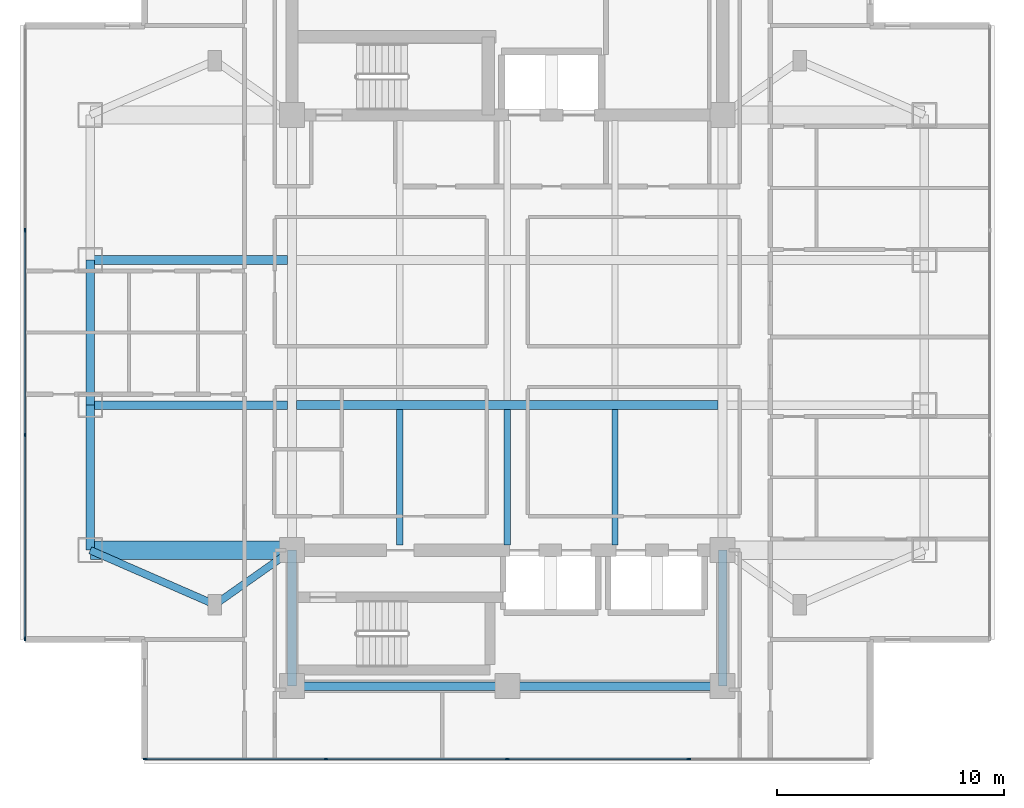
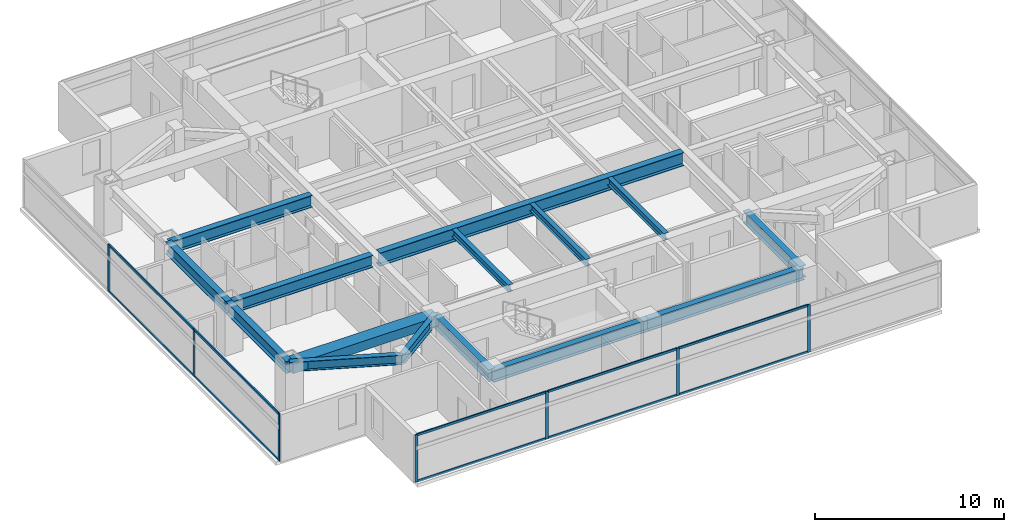
# One storey, part 2 of 24: 17 members, 15 beams, 2 elements without a shape of their own.
"""IFC4 building model written with IfcOpenShell, lengths in metres."""

import ifcopenshell
import ifcopenshell.guid

model = None  # the IFC model being written
_history = None  # IfcOwnerHistory: only IFC2X3 demands one
_inside = {}  # id of a spatial element -> (the spatial element, [elements in it])
_under = {}  # id of a project, library or spatial element -> (it, [spatial elements below it])
_declared = {}  # id of a project -> (the project, [libraries it declares])
_typed = {}  # id of a type object -> (the type object, [elements of that type])
_made_of = {}  # id of a material, layer set ... -> (it, [elements and type objects made of it])


def new_model(schema):
    """Start an empty IFC model of exactly this schema.

    Asked for "IFC4X3", IfcOpenShell would pick the latest addendum, in which some entities
    have other attributes; the version numbers below select the first issue.
    IFC2X3 requires an IfcOwnerHistory on every rooted entity: one is made here for all.
    """
    global model, _history
    if schema == "IFC4X3":
        model = ifcopenshell.file(schema_version=(4, 3, 0, 0))
    else:
        model = ifcopenshell.file(schema=schema)
    _inside.clear()
    _under.clear()
    _declared.clear()
    _typed.clear()
    _made_of.clear()
    _history = None
    if model.schema == "IFC2X3":
        org = make("IfcOrganization", Name="unknown")
        user = make(
            "IfcPersonAndOrganization",
            ThePerson=make("IfcPerson", FamilyName="unknown"),
            TheOrganization=org,
        )
        app = make(
            "IfcApplication",
            ApplicationDeveloper=org,
            Version="unknown",
            ApplicationFullName="unknown",
            ApplicationIdentifier="unknown",
        )
        _history = make(
            "IfcOwnerHistory",
            OwningUser=user,
            OwningApplication=app,
            ChangeAction="ADDED",
            CreationDate=0,
        )
    return model


def make(cls, **values):
    """One entity of the class cls with the attributes given. An attribute that is None is left unset."""
    return model.create_entity(
        cls, **{name: value for name, value in values.items() if value is not None}
    )


def rooted(cls, **values):
    """An entity with a GlobalId (a new one), such as an element, a storey or a relation."""
    return make(cls, GlobalId=ifcopenshell.guid.new(), OwnerHistory=_history, **values)


def si_unit(unit_type, name, prefix=None):
    """IfcSIUnit, for example si_unit("LENGTHUNIT", "METRE", prefix="MILLI")."""
    return make("IfcSIUnit", UnitType=unit_type, Prefix=prefix, Name=name)


def assignment(units):
    """IfcUnitAssignment: the units of a project."""
    return None if units is None else make("IfcUnitAssignment", Units=units)


def point(xyz):
    """IfcCartesianPoint."""
    return None if xyz is None else make("IfcCartesianPoint", Coordinates=xyz)


def direction(xyz):
    """IfcDirection."""
    return None if xyz is None else make("IfcDirection", DirectionRatios=xyz)


def frame(location, z_axis=None, x_axis=None):
    """IfcAxis2Placement3D, a coordinate frame: its origin and axes. An axis left out is left unset."""
    return make(
        "IfcAxis2Placement3D",
        Location=point(location),
        Axis=direction(z_axis),
        RefDirection=direction(x_axis),
    )


def frame_2d(location, x_axis=None):
    """IfcAxis2Placement2D, a coordinate frame in the plane: its origin and x axis."""
    return make(
        "IfcAxis2Placement2D", Location=point(location), RefDirection=direction(x_axis)
    )


def origin():
    """The frame at (0, 0, 0) with its axes left unset."""
    return frame((0.0, 0.0, 0.0))


def origin_2d():
    """The frame at (0, 0) in the plane with its x axis left unset."""
    return frame_2d((0.0, 0.0))


def place(relative_to, where):
    """IfcLocalPlacement: puts the frame where relative to a parent placement (None: the world)."""
    return make(
        "IfcLocalPlacement", PlacementRelTo=relative_to, RelativePlacement=where
    )


def context(
    kind, dimensions, precision=None, world=None, true_north=None, identifier=None
):
    """IfcGeometricRepresentationContext, for example the 3D "Model" context."""
    return make(
        "IfcGeometricRepresentationContext",
        ContextIdentifier=identifier,
        ContextType=kind,
        CoordinateSpaceDimension=dimensions,
        Precision=precision,
        WorldCoordinateSystem=world,
        TrueNorth=true_north,
    )


def subcontext(parent, identifier, kind, view, scale=None):
    """IfcGeometricRepresentationSubContext, for example "Body" below "Model"."""
    return make(
        "IfcGeometricRepresentationSubContext",
        ContextIdentifier=identifier,
        ContextType=kind,
        ParentContext=parent,
        TargetScale=scale,
        TargetView=view,
    )


def project(units=None, contexts=None):
    """IfcProject with its units and contexts."""
    return rooted(
        "IfcProject",
        Name="project",
        RepresentationContexts=contexts,
        UnitsInContext=assignment(units),
    )


def spatial(cls, under=None, at=None, **own):
    """A site, building, storey or space (cls), placed at a placement, below another one or the project."""
    s = rooted(cls, ObjectPlacement=at, **own)
    if under is not None:
        _under.setdefault(under.id(), (under, []))[1].append(s)
    return s


def profile(cls, at=None, kind="AREA", **sizes):
    """A parametric profile (cls). Its sizes go by their IFC names, for example OverallWidth=200.0."""
    return make(cls, ProfileType=kind, Position=at, **sizes)


def rectangle(**sizes):
    """IfcRectangleProfileDef."""
    return profile("IfcRectangleProfileDef", **sizes)


def i_section(**sizes):
    """IfcIShapeProfileDef."""
    return profile("IfcIShapeProfileDef", **sizes)


def extrude(swept, where, along, depth):
    """IfcExtrudedAreaSolid: the profile swept, set in the frame where, extruded along a direction by depth."""
    return make(
        "IfcExtrudedAreaSolid",
        SweptArea=swept,
        Position=where,
        ExtrudedDirection=direction(along),
        Depth=depth,
    )


def shape(context_of_items, identifier, shape_type, items):
    """IfcShapeRepresentation: the items that make up one representation, for example the "Body"."""
    return make(
        "IfcShapeRepresentation",
        ContextOfItems=context_of_items,
        RepresentationIdentifier=identifier,
        RepresentationType=shape_type,
        Items=items,
    )


def material(Name=None, Category=None):
    """IfcMaterial."""
    return make("IfcMaterial", Name=Name, Category=Category)


def material_profile(
    of_material, cross_section, Name=None, Category=None, Priority=None
):
    """IfcMaterialProfile: a cross section and its material."""
    return make(
        "IfcMaterialProfile",
        Name=Name,
        Material=of_material,
        Profile=cross_section,
        Priority=Priority,
        Category=Category,
    )


def profile_set(profiles, Name=None, composite=None):
    """IfcMaterialProfileSet."""
    return make(
        "IfcMaterialProfileSet",
        Name=Name,
        MaterialProfiles=profiles,
        CompositeProfile=composite,
    )


def made_of(thing, what):
    """Note that an element or type object is made of a material, layer set ...; save() writes the relation."""
    if what is not None:
        _made_of.setdefault(what.id(), (what, []))[1].append(thing)
    return thing


def type_object(cls, material=None, **own):
    """A type object (cls), such as IfcWallType, which elements share."""
    return made_of(rooted(cls, **own), material)


def element(
    cls,
    number,
    at=None,
    inside=None,
    cuts=None,
    type_object=None,
    material=None,
    context=None,
    identifier="Body",
    shape_type=None,
    held_by="IfcProductDefinitionShape",
    body=None,
    shapes=None,
    **own,
):
    """One element of the class cls, such as IfcWall. Its Tag is "e" and its number.

    at: its placement. inside: the storey or other place that contains it. cuts: it is an
    opening in that element (IfcRelVoidsElement). A single representation is given by context,
    identifier, shape_type and body (its items); several are given by shapes. held_by: the class
    of the entity that holds the representations. save() writes the other relations.
    """
    e = rooted(cls, Tag="e%d" % number, ObjectPlacement=at, **own)
    if body is not None:
        shapes = [shape(context, identifier, shape_type, body)]
    if shapes is not None:
        e.Representation = make(held_by, Representations=shapes)
    if inside is not None:
        _inside.setdefault(inside.id(), (inside, []))[1].append(e)
    if cuts is not None:
        rooted(
            "IfcRelVoidsElement", RelatingBuildingElement=cuts, RelatedOpeningElement=e
        )
    if type_object is not None:
        _typed.setdefault(type_object.id(), (type_object, []))[1].append(e)
    return made_of(e, material)


def aggregate(whole, parts):
    """IfcRelAggregates: a whole, such as a stair, and the parts it consists of."""
    return rooted("IfcRelAggregates", RelatingObject=whole, RelatedObjects=parts)


def save(model, path):
    """Write the relations noted so far, then the file.

    IfcRelAggregates (storeys below a building ...), IfcRelContainedInSpatialStructure (elements
    in a storey), IfcRelDefinesByType, IfcRelAssociatesMaterial and IfcRelDeclares: one each for
    every whole, place, type object, material and project.
    """
    for whole, parts in _under.values():
        aggregate(whole, parts)
    for where, things in _inside.values():
        rooted(
            "IfcRelContainedInSpatialStructure",
            RelatedElements=things,
            RelatingStructure=where,
        )
    for kind, things in _typed.values():
        rooted("IfcRelDefinesByType", RelatedObjects=things, RelatingType=kind)
    for what, things in _made_of.values():
        rooted("IfcRelAssociatesMaterial", RelatedObjects=things, RelatingMaterial=what)
    for by, libraries in _declared.values():
        rooted("IfcRelDeclares", RelatingContext=by, RelatedDefinitions=libraries)
    model.write(path)


model = new_model("IFC4")

# Units and contexts
model_context = context("Model", 3, precision=1e-05, world=origin(), true_north=direction((0.0, 1.0)))
body_context = subcontext(model_context, "Body", "Model", "MODEL_VIEW")
ifc_project = project(units=[si_unit("LENGTHUNIT", "METRE"), si_unit("AREAUNIT", "SQUARE_METRE"), si_unit("VOLUMEUNIT", "CUBIC_METRE"), si_unit("PLANEANGLEUNIT", "RADIAN"), si_unit("MASSUNIT", "GRAM", prefix="KILO")], contexts=[model_context])

# Site, building, storey
site_placement = place(None, origin())
site = spatial("IfcSite", under=ifc_project, at=site_placement, CompositionType="ELEMENT")
building_placement = place(site_placement, origin())
building = spatial("IfcBuilding", under=site, at=building_placement, Name="Mirazonda Arch Towers", CompositionType="ELEMENT")
storey_placement = place(building_placement, frame((0.0, 0.0, 134.60009765625)))
storey = spatial("IfcBuildingStorey", under=building, at=storey_placement, Name="L38", CompositionType="ELEMENT", Elevation=134.60009765625)

# Beams
ifc_material_1 = material(Name="Steel ASTM A992 Grade 50", Category="steel")
ifc_material_profile_1 = material_profile(ifc_material_1, i_section(OverallWidth=0.381103515625, OverallDepth=0.77294921875, WebThickness=0.0166015625, FlangeThickness=0.027099609375, at=origin_2d()), Name="W30X173")
ifc_profile_set_1 = profile_set([ifc_material_profile_1], Name="Steel ASTM A992 Grade 50")
beam_type_1 = type_object("IfcBeamType", Name="BM-EXT-W30X173", PredefinedType="USERDEFINED", material=ifc_profile_set_1)
beam_1_placement = place(storey_placement, frame((2.10009765625, 18.39990234375, 2.693359375), z_axis=(0.0, 1.0, 0.0), x_axis=(-1.0, 0.0, 0.0)))
element("IfcBeam", 1, at=beam_1_placement, inside=storey, type_object=beam_type_1, Name="L38 Floor Beam BM-T1-L38-NS-W-18", ObjectType="GIRDER", PredefinedType="USERDEFINED", context=body_context, shape_type="SweptSolid", body=[
    extrude(i_section(OverallWidth=0.381103515625, OverallDepth=0.77294921875, WebThickness=0.0166015625, FlangeThickness=0.027099609375, at=origin_2d()), origin(), (0.0, 0.0, 1.0), 6.400146484375),
])
beam_2_placement = place(storey_placement, frame((2.10009765625, 24.800048828125, 2.693359375), z_axis=(0.0, 1.0, 0.0), x_axis=(-1.0, 0.0, 0.0)))
element("IfcBeam", 2, at=beam_2_placement, inside=storey, type_object=beam_type_1, Name="L38 Floor Beam BM-T1-L38-NS-W-24", ObjectType="GIRDER", PredefinedType="USERDEFINED", context=body_context, shape_type="SweptSolid", body=[
    extrude(i_section(OverallWidth=0.381103515625, OverallDepth=0.77294921875, WebThickness=0.0166015625, FlangeThickness=0.027099609375, at=origin_2d()), origin(), (0.0, 0.0, 1.0), 6.39990234375),
])
ifc_material_profile_2 = material_profile(ifc_material_1, i_section(OverallWidth=0.280029296875, OverallDepth=0.462890625, WebThickness=0.0107421875, FlangeThickness=0.017333984375, at=origin_2d()), Name="W18X76")
ifc_profile_set_2 = profile_set([ifc_material_profile_2], Name="Steel ASTM A992 Grade 50")
beam_type_2 = type_object("IfcBeamType", Name="BM-INT-W18X76", PredefinedType="JOIST", material=ifc_profile_set_2)
for number, where, z_axis, x_axis, name in (
    (3, (15.75, 18.639892578125, 2.848388671875), (0.0, 1.0, 0.0), (-1.0, 0.0, 0.0), "L38 Floor Beam BM-T1-L38-J-157-18"),
    (4, (20.5, 18.639892578125, 2.848388671875), (0.0, 1.0, 0.0), (-1.0, 0.0, 0.0), "L38 Floor Beam BM-T1-L38-J-205-18"),
    (5, (25.25, 18.639892578125, 2.848388671875), (0.0, 1.0, 0.0), (-1.0, 0.0, 0.0), "L38 Floor Beam BM-T1-L38-J-252-18"),
):
    element("IfcBeam", number, at=place(storey_placement, frame(where, z_axis=z_axis, x_axis=x_axis)), inside=storey, type_object=beam_type_2, Name=name, PredefinedType="JOIST", context=body_context, shape_type="SweptSolid", body=[
        extrude(i_section(OverallWidth=0.280029296875, OverallDepth=0.462890625, WebThickness=0.0107421875, FlangeThickness=0.017333984375, at=origin_2d()), origin(), (0.0, 0.0, 1.0), 5.964111328125),
    ])
ifc_material_profile_3 = material_profile(ifc_material_1, i_section(OverallWidth=0.324951171875, OverallDepth=0.615966796875, WebThickness=0.013916015625, FlangeThickness=0.021484375, at=origin_2d()), Name="W24X117")
ifc_profile_set_3 = profile_set([ifc_material_profile_3], Name="Steel ASTM A992 Grade 50")
beam_type_3 = type_object("IfcBeamType", Name="BM-INT-W24X117", PredefinedType="BEAM", material=ifc_profile_set_3)
beam_3_placement = place(storey_placement, frame((7.60009765625, 16.0, 2.77197265625), z_axis=(0.816971114901, 0.576678591087, 0.0), x_axis=(-0.576678591087, 0.816971114901, 0.0)))
element("IfcBeam", 6, at=beam_3_placement, inside=storey, type_object=beam_type_3, Name="L38 Floor Beam BM-T1-L38-PL-SW1", PredefinedType="BEAM", context=body_context, shape_type="SweptSolid", body=[
    extrude(i_section(OverallWidth=0.324951171875, OverallDepth=0.615966796875, WebThickness=0.013916015625, FlangeThickness=0.021484375, at=origin_2d()), origin(), (0.0, 0.0, 1.0), 4.16162109375),
])
beam_4_placement = place(storey_placement, frame((7.60009765625, 16.0, 2.77197265625), z_axis=(-0.916545343703, 0.399930785183, 0.0), x_axis=(-0.399930785183, -0.916545343703, 0.0)))
element("IfcBeam", 7, at=beam_4_placement, inside=storey, type_object=beam_type_3, Name="L38 Floor Beam BM-T1-L38-PL-SW2", PredefinedType="BEAM", context=body_context, shape_type="SweptSolid", body=[
    extrude(i_section(OverallWidth=0.324951171875, OverallDepth=0.615966796875, WebThickness=0.013916015625, FlangeThickness=0.021484375, at=origin_2d()), origin(), (0.0, 0.0, 1.0), 6.000732421875),
])
ifc_material_profile_4 = material_profile(ifc_material_1, i_section(OverallWidth=0.381103515625, OverallDepth=0.77294921875, WebThickness=0.0166015625, FlangeThickness=0.027099609375, at=origin_2d()), Name="W30X173")
ifc_profile_set_4 = profile_set([ifc_material_profile_4], Name="Steel ASTM A992 Grade 50")
beam_type_4 = type_object("IfcBeamType", Name="BM-INT-W30X173", PredefinedType="USERDEFINED", material=ifc_profile_set_4)
for number, where, z_axis, x_axis, name in (
    (8, (2.10009765625, 24.800048828125, 2.693359375), (1.0, 0.0, 0.0), (0.0, 1.0, 0.0), "L38 Floor Beam BM-T1-L38-GW2"),
    (9, (2.10009765625, 31.199951171875, 2.693359375), (1.0, 0.0, 0.0), (0.0, 1.0, 0.0), "L38 Floor Beam BM-T1-L38-GW3"),
):
    element("IfcBeam", number, at=place(storey_placement, frame(where, z_axis=z_axis, x_axis=x_axis)), inside=storey, type_object=beam_type_4, Name=name, ObjectType="GIRDER", PredefinedType="USERDEFINED", context=body_context, shape_type="SweptSolid", body=[
        extrude(i_section(OverallWidth=0.381103515625, OverallDepth=0.77294921875, WebThickness=0.0166015625, FlangeThickness=0.027099609375, at=origin_2d()), origin(), (0.0, 0.0, 1.0), 8.699951171875),
    ])
for number, where, z_axis, x_axis, name in (
    (10, (11.0, 12.39990234375, 2.693359375), (1.0, 0.0, 0.0), (0.0, 1.0, 0.0), "L38 Floor Beam BM-T1-L38-CS1"),
    (11, (20.5, 12.39990234375, 2.693359375), (1.0, 0.0, 0.0), (0.0, 1.0, 0.0), "L38 Floor Beam BM-T1-L38-CS2"),
):
    element("IfcBeam", number, at=place(storey_placement, frame(where, z_axis=z_axis, x_axis=x_axis)), inside=storey, type_object=beam_type_4, Name=name, ObjectType="GIRDER", PredefinedType="USERDEFINED", context=body_context, shape_type="SweptSolid", body=[
        extrude(i_section(OverallWidth=0.381103515625, OverallDepth=0.77294921875, WebThickness=0.0166015625, FlangeThickness=0.027099609375, at=origin_2d()), origin(), (0.0, 0.0, 1.0), 9.5),
    ])
for number, where, z_axis, x_axis, name in (
    (12, (11.0, 12.39990234375, 2.693359375), (0.0, 1.0, 0.0), (-1.0, 0.0, 0.0), "L38 Floor Beam BM-T1-L38-CSW"),
    (13, (30.0, 12.39990234375, 2.693359375), (0.0, 1.0, 0.0), (-1.0, 0.0, 0.0), "L38 Floor Beam BM-T1-L38-CSE"),
):
    element("IfcBeam", number, at=place(storey_placement, frame(where, z_axis=z_axis, x_axis=x_axis)), inside=storey, type_object=beam_type_4, Name=name, ObjectType="GIRDER", PredefinedType="USERDEFINED", context=body_context, shape_type="SweptSolid", body=[
        extrude(i_section(OverallWidth=0.381103515625, OverallDepth=0.77294921875, WebThickness=0.0166015625, FlangeThickness=0.027099609375, at=origin_2d()), origin(), (0.0, 0.0, 1.0), 6.0),
    ])
ifc_material_profile_5 = material_profile(ifc_material_1, i_section(OverallWidth=0.39990234375, OverallDepth=0.85595703125, WebThickness=0.018310546875, FlangeThickness=0.029296875, at=origin_2d()), Name="W33X201")
ifc_profile_set_5 = profile_set([ifc_material_profile_5], Name="Steel ASTM A992 Grade 50")
beam_type_5 = type_object("IfcBeamType", Name="BM-INT-W33X201", PredefinedType="USERDEFINED", material=ifc_profile_set_5)
beam_5_placement = place(storey_placement, frame((11.199951171875, 24.800048828125, 2.65185546875), z_axis=(1.0, 0.0, 0.0), x_axis=(0.0, 1.0, 0.0)))
element("IfcBeam", 14, at=beam_5_placement, inside=storey, type_object=beam_type_5, Name="L38 Floor Beam BM-T1-L38-GC2", ObjectType="GIRDER", PredefinedType="USERDEFINED", context=body_context, shape_type="SweptSolid", body=[
    extrude(i_section(OverallWidth=0.39990234375, OverallDepth=0.85595703125, WebThickness=0.018310546875, FlangeThickness=0.029296875, at=origin_2d()), origin(), (0.0, 0.0, 1.0), 18.60009765625),
])
ifc_material_2 = material(Name="Concrete C60/75", Category="concrete")
ifc_material_profile_6 = material_profile(ifc_material_2, rectangle(XDim=0.800048828125, YDim=0.60009765625, at=origin_2d()), Name="RCCB800x600")
ifc_profile_set_6 = profile_set([ifc_material_profile_6], Name="Concrete C60/75")
beam_type_6 = type_object("IfcBeamType", Name="CB-INT-RCCB800x600", PredefinedType="SPANDREL", material=ifc_profile_set_6)
beam_6_placement = place(storey_placement, frame((2.10009765625, 18.39990234375, 2.77978515625), z_axis=(1.0, 0.0, 0.0), x_axis=(0.0, 1.0, 0.0)))
element("IfcBeam", 15, at=beam_6_placement, inside=storey, type_object=beam_type_6, Name="L38 Floor Beam CBC-T1-L38-SW", PredefinedType="SPANDREL", context=body_context, shape_type="SweptSolid", body=[
    extrude(rectangle(XDim=0.800048828125, YDim=0.60009765625, at=origin_2d()), origin(), (0.0, 0.0, 1.0), 8.89990234375),
])

# Curtain wall, members
ifc_material_3 = material(Name="Anodised Aluminium and Low-E Glass", Category="aluminium")
curtain_wall_type = type_object("IfcCurtainWallType", Name="CW-HTL-UNIT", PredefinedType="NOTDEFINED", material=ifc_material_3)
curtain_wall_1_placement = place(storey_placement, origin())
curtain_wall_1 = element("IfcCurtainWall", 16, at=curtain_wall_1_placement, inside=storey, type_object=curtain_wall_type, Name="L38 T1 S Facade CW-L38-T1-S", PredefinedType="NOTDEFINED")
ifc_material_4 = material(Name="Anodised Aluminium Alloy", Category="aluminium")
ifc_material_profile_7 = material_profile(ifc_material_4, rectangle(XDim=0.074951171875, YDim=0.1650390625, at=origin_2d()), Name="ALU-MULL-75x165")
ifc_profile_set_7 = profile_set([ifc_material_profile_7], Name="Anodised Aluminium Alloy")
member_type_1 = type_object("IfcMemberType", Name="MULL-CW-HTL-UNIT", PredefinedType="MULLION", material=ifc_profile_set_7)
member_1_placement = place(storey_placement, frame((28.5048828125, 9.18994140625, 0.0), z_axis=(0.0, 0.0, 1.0), x_axis=(0.0, -1.0, 0.0)))
member_1 = element("IfcMember", 17, at=member_1_placement, type_object=member_type_1, Name="CW-112 mullion 2", PredefinedType="MULLION", context=body_context, shape_type="SweptSolid", body=[
    extrude(rectangle(XDim=0.074951171875, YDim=0.1650390625, at=origin_2d()), origin(), (0.0, 0.0, 1.0), 3.059814453125),
])
member_2_placement = place(storey_placement, frame((20.5, 9.18994140625, 0.0), z_axis=(0.0, 0.0, 1.0), x_axis=(0.0, -1.0, 0.0)))
member_2 = element("IfcMember", 18, at=member_2_placement, type_object=member_type_1, Name="CW-112 mullion 3", PredefinedType="MULLION", context=body_context, shape_type="SweptSolid", body=[
    extrude(rectangle(XDim=0.074951171875, YDim=0.1650390625, at=origin_2d()), origin(), (0.0, 0.0, 1.0), 3.059814453125),
])
member_3_placement = place(storey_placement, frame((12.4951171875, 9.18994140625, 0.0), z_axis=(0.0, 0.0, 1.0), x_axis=(0.0, -1.0, 0.0)))
member_3 = element("IfcMember", 19, at=member_3_placement, type_object=member_type_1, Name="CW-112 mullion 4", PredefinedType="MULLION", context=body_context, shape_type="SweptSolid", body=[
    extrude(rectangle(XDim=0.074951171875, YDim=0.1650390625, at=origin_2d()), origin(), (0.0, 0.0, 1.0), 3.059814453125),
])
member_4_placement = place(storey_placement, frame((4.527587890625, 9.18994140625, 0.0), z_axis=(0.0, 0.0, 1.0), x_axis=(0.0, -1.0, 0.0)))
member_4 = element("IfcMember", 20, at=member_4_placement, type_object=member_type_1, Name="CW-112 mullion 5", PredefinedType="MULLION", context=body_context, shape_type="SweptSolid", body=[
    extrude(rectangle(XDim=0.074951171875, YDim=0.1650390625, at=origin_2d()), origin(), (0.0, 0.0, 1.0), 3.059814453125),
])

curtain_wall_2_placement = place(storey_placement, origin())
curtain_wall_2 = element("IfcCurtainWall", 21, at=curtain_wall_2_placement, inside=storey, type_object=curtain_wall_type, Name="L38 T1 W Facade CW-L38-T1-W", PredefinedType="NOTDEFINED")
member_5_placement = place(storey_placement, frame((-0.780029296875, 32.513427734375, 0.0), z_axis=(0.0, 0.0, 1.0), x_axis=(1.0, 0.0, 0.0)))
member_5 = element("IfcMember", 22, at=member_5_placement, type_object=member_type_1, Name="CW-112 mullion 2", PredefinedType="MULLION", context=body_context, shape_type="SweptSolid", body=[
    extrude(rectangle(XDim=0.074951171875, YDim=0.1650390625, at=origin_2d()), origin(), (0.0, 0.0, 1.0), 3.059814453125),
])
member_6_placement = place(storey_placement, frame((-0.780029296875, 23.486572265625, 0.0), z_axis=(0.0, 0.0, 1.0), x_axis=(1.0, 0.0, 0.0)))
member_6 = element("IfcMember", 23, at=member_6_placement, type_object=member_type_1, Name="CW-112 mullion 3", PredefinedType="MULLION", context=body_context, shape_type="SweptSolid", body=[
    extrude(rectangle(XDim=0.074951171875, YDim=0.1650390625, at=origin_2d()), origin(), (0.0, 0.0, 1.0), 3.059814453125),
])
member_7_placement = place(storey_placement, frame((-0.780029296875, 14.49755859375, 0.0), z_axis=(0.0, 0.0, 1.0), x_axis=(1.0, 0.0, 0.0)))
member_7 = element("IfcMember", 24, at=member_7_placement, type_object=member_type_1, Name="CW-112 mullion 4", PredefinedType="MULLION", context=body_context, shape_type="SweptSolid", body=[
    extrude(rectangle(XDim=0.074951171875, YDim=0.1650390625, at=origin_2d()), origin(), (0.0, 0.0, 1.0), 3.059814453125),
])

# Member
ifc_material_profile_8 = material_profile(ifc_material_4, rectangle(XDim=0.074951171875, YDim=0.14501953125, at=origin_2d()), Name="ALU-TRAN-75x145")
ifc_profile_set_8 = profile_set([ifc_material_profile_8], Name="Anodised Aluminium Alloy")
member_type_2 = type_object("IfcMemberType", Name="TRAN-CW-HTL-UNIT", PredefinedType="USERDEFINED", material=ifc_profile_set_8)
member_8_placement = place(storey_placement, frame((28.467529296875, 9.18994140625, 0.037353515625), z_axis=(-1.0, 0.0, 0.0), x_axis=(0.0, -1.0, 0.0)))
member_8 = element("IfcMember", 25, at=member_8_placement, type_object=member_type_2, Name="CW-112 transom 2.1", ObjectType="TRANSOM", PredefinedType="USERDEFINED", context=body_context, shape_type="SweptSolid", body=[
    extrude(rectangle(XDim=0.074951171875, YDim=0.14501953125, at=origin_2d()), origin(), (0.0, 0.0, 1.0), 7.929931640625),
])

member_9_placement = place(storey_placement, frame((28.467529296875, 9.18994140625, 3.0224609375), z_axis=(-1.0, 0.0, 0.0), x_axis=(0.0, -1.0, 0.0)))
member_9 = element("IfcMember", 26, at=member_9_placement, type_object=member_type_2, Name="CW-112 transom 2.2", ObjectType="TRANSOM", PredefinedType="USERDEFINED", context=body_context, shape_type="SweptSolid", body=[
    extrude(rectangle(XDim=0.074951171875, YDim=0.14501953125, at=origin_2d()), origin(), (0.0, 0.0, 1.0), 7.929931640625),
])

member_10_placement = place(storey_placement, frame((20.46240234375, 9.18994140625, 0.037353515625), z_axis=(-1.0, 0.0, 0.0), x_axis=(0.0, -1.0, 0.0)))
member_10 = element("IfcMember", 27, at=member_10_placement, type_object=member_type_2, Name="CW-112 transom 3.1", ObjectType="TRANSOM", PredefinedType="USERDEFINED", context=body_context, shape_type="SweptSolid", body=[
    extrude(rectangle(XDim=0.074951171875, YDim=0.14501953125, at=origin_2d()), origin(), (0.0, 0.0, 1.0), 7.929931640625),
])

member_11_placement = place(storey_placement, frame((20.46240234375, 9.18994140625, 3.0224609375), z_axis=(-1.0, 0.0, 0.0), x_axis=(0.0, -1.0, 0.0)))
member_11 = element("IfcMember", 28, at=member_11_placement, type_object=member_type_2, Name="CW-112 transom 3.2", ObjectType="TRANSOM", PredefinedType="USERDEFINED", context=body_context, shape_type="SweptSolid", body=[
    extrude(rectangle(XDim=0.074951171875, YDim=0.14501953125, at=origin_2d()), origin(), (0.0, 0.0, 1.0), 7.929931640625),
])

member_12_placement = place(storey_placement, frame((12.45751953125, 9.18994140625, 0.037353515625), z_axis=(-1.0, 0.0, 0.0), x_axis=(0.0, -1.0, 0.0)))
member_12 = element("IfcMember", 29, at=member_12_placement, type_object=member_type_2, Name="CW-112 transom 4.1", ObjectType="TRANSOM", PredefinedType="USERDEFINED", context=body_context, shape_type="SweptSolid", body=[
    extrude(rectangle(XDim=0.074951171875, YDim=0.14501953125, at=origin_2d()), origin(), (0.0, 0.0, 1.0), 7.892578125),
])

member_13_placement = place(storey_placement, frame((12.45751953125, 9.18994140625, 3.0224609375), z_axis=(-1.0, 0.0, 0.0), x_axis=(0.0, -1.0, 0.0)))
member_13 = element("IfcMember", 30, at=member_13_placement, type_object=member_type_2, Name="CW-112 transom 4.2", ObjectType="TRANSOM", PredefinedType="USERDEFINED", context=body_context, shape_type="SweptSolid", body=[
    extrude(rectangle(XDim=0.074951171875, YDim=0.14501953125, at=origin_2d()), origin(), (0.0, 0.0, 1.0), 7.892578125),
])

aggregate(curtain_wall_1, [member_1, member_2, member_3, member_4, member_8, member_9, member_10, member_11, member_12, member_13])

member_14_placement = place(storey_placement, frame((-0.780029296875, 32.475830078125, 0.037353515625), z_axis=(0.0, -1.0, 0.0), x_axis=(1.0, 0.0, 0.0)))
member_14 = element("IfcMember", 31, at=member_14_placement, type_object=member_type_2, Name="CW-112 transom 2.1", ObjectType="TRANSOM", PredefinedType="USERDEFINED", context=body_context, shape_type="SweptSolid", body=[
    extrude(rectangle(XDim=0.074951171875, YDim=0.14501953125, at=origin_2d()), origin(), (0.0, 0.0, 1.0), 8.95166015625),
])

member_15_placement = place(storey_placement, frame((-0.780029296875, 32.475830078125, 3.0224609375), z_axis=(0.0, -1.0, 0.0), x_axis=(1.0, 0.0, 0.0)))
member_15 = element("IfcMember", 32, at=member_15_placement, type_object=member_type_2, Name="CW-112 transom 2.2", ObjectType="TRANSOM", PredefinedType="USERDEFINED", context=body_context, shape_type="SweptSolid", body=[
    extrude(rectangle(XDim=0.074951171875, YDim=0.14501953125, at=origin_2d()), origin(), (0.0, 0.0, 1.0), 8.95166015625),
])

member_16_placement = place(storey_placement, frame((-0.780029296875, 23.44921875, 0.037353515625), z_axis=(0.0, -1.0, 0.0), x_axis=(1.0, 0.0, 0.0)))
member_16 = element("IfcMember", 33, at=member_16_placement, type_object=member_type_2, Name="CW-112 transom 3.1", ObjectType="TRANSOM", PredefinedType="USERDEFINED", context=body_context, shape_type="SweptSolid", body=[
    extrude(rectangle(XDim=0.074951171875, YDim=0.14501953125, at=origin_2d()), origin(), (0.0, 0.0, 1.0), 8.914306640625),
])

member_17_placement = place(storey_placement, frame((-0.780029296875, 23.44921875, 3.0224609375), z_axis=(0.0, -1.0, 0.0), x_axis=(1.0, 0.0, 0.0)))
member_17 = element("IfcMember", 34, at=member_17_placement, type_object=member_type_2, Name="CW-112 transom 3.2", ObjectType="TRANSOM", PredefinedType="USERDEFINED", context=body_context, shape_type="SweptSolid", body=[
    extrude(rectangle(XDim=0.074951171875, YDim=0.14501953125, at=origin_2d()), origin(), (0.0, 0.0, 1.0), 8.914306640625),
])

aggregate(curtain_wall_2, [member_5, member_6, member_7, member_14, member_15, member_16, member_17])

save(model, "model.ifc")
